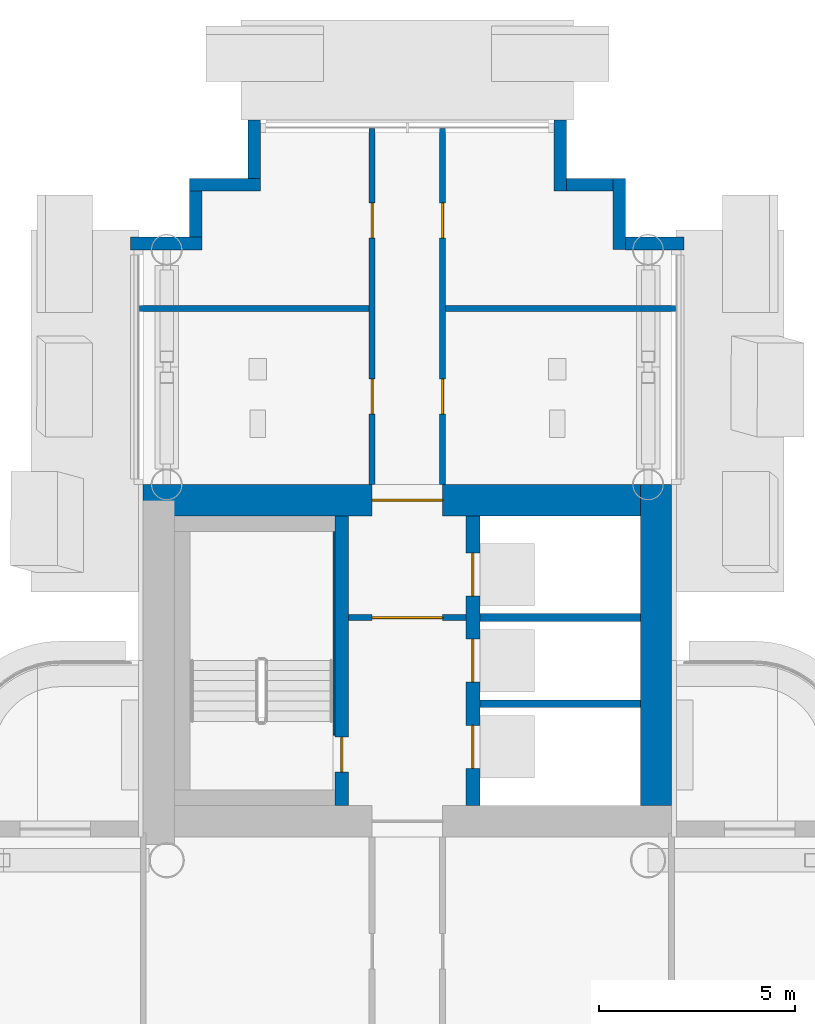
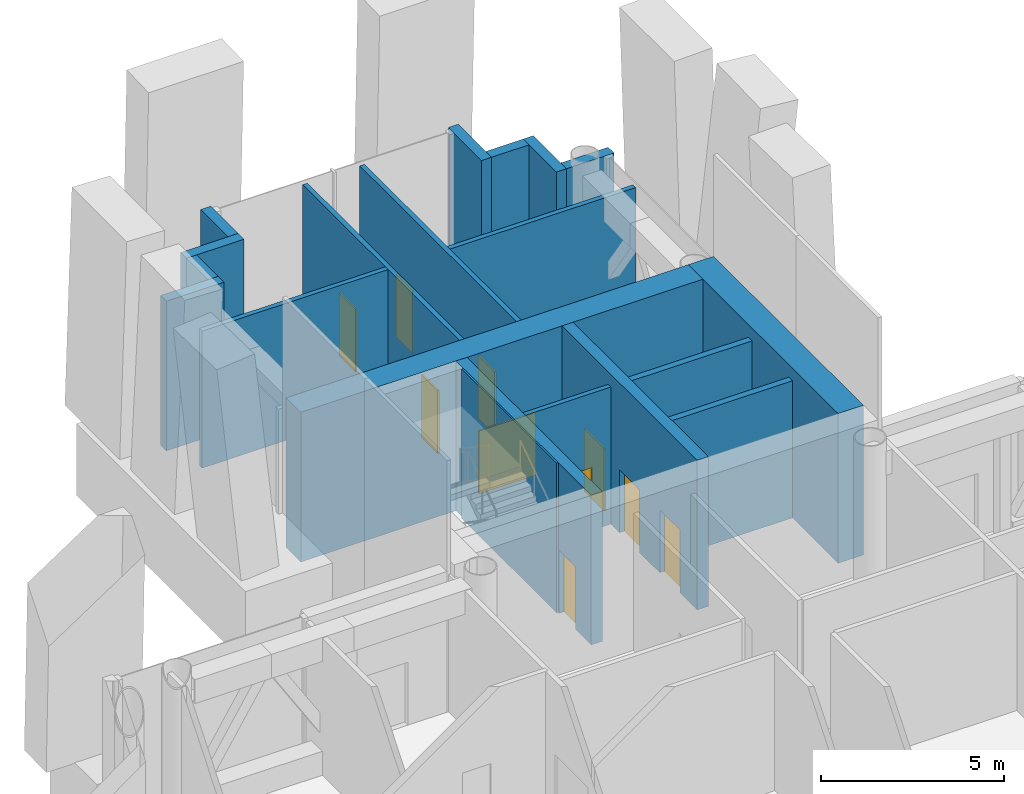
# One storey, part 17 of 34: 20 walls, 10 doors, 10 openings.
"""IFC4 building model written with IfcOpenShell, lengths in metres."""

from ifc_helpers import new_model, si_unit, direction, frame, frame_2d, origin, place, context, subcontext, project, spatial, rectangle, extrude, material, layer, layer_set, type_object, element, fill, save


model = new_model("IFC4")

# Units and contexts
model_context = context("Model", 3, precision=1e-05, world=origin(), true_north=direction((0.0, 1.0)))
body_context = subcontext(model_context, "Body", "Model", "MODEL_VIEW")
ifc_project = project(units=[si_unit("LENGTHUNIT", "METRE"), si_unit("AREAUNIT", "SQUARE_METRE"), si_unit("VOLUMEUNIT", "CUBIC_METRE"), si_unit("PLANEANGLEUNIT", "RADIAN"), si_unit("MASSUNIT", "GRAM", prefix="KILO")], contexts=[model_context])

# Site, building, storey
site_placement = place(None, origin())
site = spatial("IfcSite", under=ifc_project, at=site_placement, CompositionType="ELEMENT")
building_placement = place(site_placement, origin())
building = spatial("IfcBuilding", under=site, at=building_placement, Name="Ipe Terrace Towers", CompositionType="ELEMENT")
storey_placement = place(building_placement, frame((0.0, 0.0, 128.699951171875)))
storey = spatial("IfcBuildingStorey", under=building, at=storey_placement, Name="L35", CompositionType="ELEMENT", Elevation=128.699951171875)

# Walls
ifc_material_1 = material(Name="Concrete C40/50 with buff precast cladding", Category="concrete")
ifc_layer_1 = layer(ifc_material_1, 0.320068359375)
ifc_layer_set_1 = layer_set([ifc_layer_1], Name="BUFF CLADDING WALL 320")
wall_type_1 = type_object("IfcWallType", Name="BUFF CLADDING WALL 320", PredefinedType="STANDARD", material=ifc_layer_set_1)
wall_1_placement = place(storey_placement, frame((43.070068359375, 21.909912109375, -0.300048828125), z_axis=(0.0, 0.0, 1.0), x_axis=(-1.0, 0.0, 0.0)))
element("IfcWall", 1, at=wall_1_placement, inside=storey, type_object=wall_type_1, Name="T2-W-L35-17a wall", PredefinedType="STANDARD", context=body_context, shape_type="SweptSolid", body=[
    extrude(rectangle(XDim=1.5, YDim=0.320068359375, at=frame_2d((0.75, 0.0))), origin(), (0.0, 0.0, 1.0), 5.0),
])
wall_2_placement = place(storey_placement, frame((41.409912109375, 21.75, -0.300048828125), z_axis=(0.0, 0.0, 1.0), x_axis=(0.0, 1.0, 0.0)))
element("IfcWall", 2, at=wall_2_placement, inside=storey, type_object=wall_type_1, Name="T2-W-L35-18a wall", PredefinedType="STANDARD", context=body_context, shape_type="SweptSolid", body=[
    extrude(rectangle(XDim=1.820068359375, YDim=0.320068359375, at=frame_2d((0.91015625, 0.0))), origin(), (0.0, 0.0, 1.0), 5.0),
])
wall_3_placement = place(storey_placement, frame((41.25, 23.409912109375, -0.300048828125), z_axis=(0.0, 0.0, 1.0), x_axis=(-1.0, 0.0, 0.0)))
element("IfcWall", 3, at=wall_3_placement, inside=storey, type_object=wall_type_1, Name="T2-W-L35-19a wall", PredefinedType="STANDARD", context=body_context, shape_type="SweptSolid", body=[
    extrude(rectangle(XDim=1.179931640625, YDim=0.320068359375, at=frame_2d((0.58984375, 0.0))), origin(), (0.0, 0.0, 1.0), 5.0),
])
wall_4_placement = place(storey_placement, frame((39.909912109375, 23.25, -0.300048828125), z_axis=(0.0, 0.0, 1.0), x_axis=(0.0, 1.0, 0.0)))
element("IfcWall", 4, at=wall_4_placement, inside=storey, type_object=wall_type_1, Name="T2-W-L35-20a wall", PredefinedType="STANDARD", context=body_context, shape_type="SweptSolid", body=[
    extrude(rectangle(XDim=1.820068359375, YDim=0.320068359375, at=frame_2d((0.91015625, 0.0))), origin(), (0.0, 0.0, 1.0), 5.0),
])
wall_5_placement = place(storey_placement, frame((32.090087890625, 25.070068359375, -0.300048828125), z_axis=(0.0, 0.0, 1.0), x_axis=(0.0, -1.0, 0.0)))
element("IfcWall", 5, at=wall_5_placement, inside=storey, type_object=wall_type_1, Name="T2-W-L35-22a wall", PredefinedType="STANDARD", context=body_context, shape_type="SweptSolid", body=[
    extrude(rectangle(XDim=1.5, YDim=0.320068359375, at=frame_2d((0.75, 0.0))), origin(), (0.0, 0.0, 1.0), 5.0),
])
wall_6_placement = place(storey_placement, frame((32.25, 23.409912109375, -0.300048828125), z_axis=(0.0, 0.0, 1.0), x_axis=(-1.0, 0.0, 0.0)))
element("IfcWall", 6, at=wall_6_placement, inside=storey, type_object=wall_type_1, Name="T2-W-L35-23a wall", PredefinedType="STANDARD", context=body_context, shape_type="SweptSolid", body=[
    extrude(rectangle(XDim=1.820068359375, YDim=0.320068359375, at=frame_2d((0.91015625, 0.0))), origin(), (0.0, 0.0, 1.0), 5.0),
])
wall_7_placement = place(storey_placement, frame((30.590087890625, 23.25, -0.300048828125), z_axis=(0.0, 0.0, 1.0), x_axis=(0.0, -1.0, 0.0)))
element("IfcWall", 7, at=wall_7_placement, inside=storey, type_object=wall_type_1, Name="T2-W-L35-24a wall", PredefinedType="STANDARD", context=body_context, shape_type="SweptSolid", body=[
    extrude(rectangle(XDim=1.179931640625, YDim=0.320068359375, at=frame_2d((0.58984375, 0.0))), origin(), (0.0, 0.0, 1.0), 5.0),
])
wall_8_placement = place(storey_placement, frame((30.75, 21.909912109375, -0.300048828125), z_axis=(0.0, 0.0, 1.0), x_axis=(-1.0, 0.0, 0.0)))
element("IfcWall", 8, at=wall_8_placement, inside=storey, type_object=wall_type_1, Name="T2-W-L35-25a wall", PredefinedType="STANDARD", context=body_context, shape_type="SweptSolid", body=[
    extrude(rectangle(XDim=1.820068359375, YDim=0.320068359375, at=frame_2d((0.91015625, 0.0))), origin(), (0.0, 0.0, 1.0), 5.0),
])

# Wall, opening, door
ifc_material_2 = material(Name="Gypsum board partition", Category="plasterboard")
ifc_layer_2 = layer(ifc_material_2, 0.14990234375)
ifc_layer_set_2 = layer_set([ifc_layer_2], Name="Gypsum board partition 150 mm")
wall_type_2 = type_object("IfcWallType", Name="Gypsum board partition 150 mm", PredefinedType="PARTITIONING", material=ifc_layer_set_2)
wall_9_placement = place(storey_placement, frame((37.5, 12.35009765625, 0.0), z_axis=(0.0, 0.0, 1.0), x_axis=(-1.0, 0.0, 0.0)))
wall_9 = element("IfcWall", 9, at=wall_9_placement, inside=storey, type_object=wall_type_2, Name="Gypsum board partition T2 L35 t2c1-lobby-wall", PredefinedType="PARTITIONING", context=body_context, shape_type="SweptSolid", body=[
    extrude(rectangle(XDim=3.0, YDim=0.14990234375, at=frame_2d((1.5, 0.0))), origin(), (0.0, 0.0, 1.0), 4.580078125),
])
opening_1_placement = place(wall_9_placement, frame((0.60009765625, 0.0, 0.0)))
opening_1 = element("IfcOpeningElement", 10, at=opening_1_placement, cuts=wall_9, Name="Opening T2C1-VD", PredefinedType="OPENING", context=body_context, shape_type="SweptSolid", body=[
    extrude(rectangle(XDim=1.800048828125, YDim=2.10009765625, at=frame_2d((0.89990234375, 1.050048828125))), frame((0.0, 0.0849609375, 0.0), z_axis=(0.0, -1.0, 0.0), x_axis=(1.0, 0.0, 0.0)), (0.0, 0.0, 1.0), 0.169921875),
])
ifc_material_3 = material(Name="Fire-rated timber door leaf", Category="wood")
door_type_1 = type_object("IfcDoorType", Name="Lobby door 1800 x 2100 FD60", OperationType="NOTDEFINED", PredefinedType="DOOR", material=ifc_material_3)
door_1_placement = place(opening_1_placement, origin())
door_1 = element("IfcDoor", 11, at=door_1_placement, inside=storey, type_object=door_type_1, Name="Lobby door T2C1-VD", OperationType="SINGLE_SWING_LEFT", OverallHeight=2.10009765625, OverallWidth=1.800048828125, PredefinedType="DOOR", context=body_context, shape_type="SweptSolid", body=[
    extrude(rectangle(XDim=1.800048828125, YDim=2.10009765625, at=frame_2d((0.89990234375, 1.050048828125))), frame((0.0, 0.02490234375, 0.0), z_axis=(0.0, -1.0, 0.0), x_axis=(1.0, 0.0, 0.0)), (0.0, 0.0, 1.0), 0.050048828125),
])
fill(opening_1, door_1)

# Wall, openings, doors
wall_10_placement = place(storey_placement, frame((35.10009765625, 15.75, 0.0), z_axis=(0.0, 0.0, 1.0), x_axis=(0.0, 1.0, 0.0)))
wall_10 = element("IfcWall", 12, at=wall_10_placement, inside=storey, type_object=wall_type_2, Name="Gypsum board partition T2 L35 sp-Lp-wp", PredefinedType="PARTITIONING", context=body_context, shape_type="SweptSolid", body=[
    extrude(rectangle(XDim=9.10009765625, YDim=0.14990234375, at=frame_2d((4.550048828125, 0.0))), origin(), (0.0, 0.0, 1.0), 4.580078125),
])
opening_2_placement = place(wall_10_placement, frame((1.800048828125, 0.0, 0.0)))
opening_2 = element("IfcOpeningElement", 13, at=opening_2_placement, cuts=wall_10, Name="Opening T2-SP-PLp1", PredefinedType="OPENING", context=body_context, shape_type="SweptSolid", body=[
    extrude(rectangle(XDim=0.89990234375, YDim=2.10009765625, at=frame_2d((0.449951171875, 1.050048828125))), frame((0.0, 0.0849609375, 0.0), z_axis=(0.0, -1.0, 0.0), x_axis=(1.0, 0.0, 0.0)), (0.0, 0.0, 1.0), 0.169921875),
])
opening_3_placement = place(wall_10_placement, frame((6.300048828125, 0.0, 0.0)))
opening_3 = element("IfcOpeningElement", 14, at=opening_3_placement, cuts=wall_10, Name="Opening T2-SP-PLp2", PredefinedType="OPENING", context=body_context, shape_type="SweptSolid", body=[
    extrude(rectangle(XDim=0.89990234375, YDim=2.10009765625, at=frame_2d((0.449951171875, 1.050048828125))), frame((0.0, 0.0849609375, 0.0), z_axis=(0.0, -1.0, 0.0), x_axis=(1.0, 0.0, 0.0)), (0.0, 0.0, 1.0), 0.169921875),
])
ifc_material_4 = material(Name="Timber door leaf", Category="wood")
door_type_2 = type_object("IfcDoorType", Name="Lounge door 900 x 2100", OperationType="NOTDEFINED", PredefinedType="DOOR", material=ifc_material_4)
door_2_placement = place(opening_2_placement, origin())
door_2 = element("IfcDoor", 15, at=door_2_placement, inside=storey, type_object=door_type_2, Name="Lounge door T2-SP-PLp1", OperationType="SINGLE_SWING_RIGHT", OverallHeight=2.10009765625, OverallWidth=0.89990234375, PredefinedType="DOOR", context=body_context, shape_type="SweptSolid", body=[
    extrude(rectangle(XDim=0.89990234375, YDim=2.10009765625, at=frame_2d((0.449951171875, 1.050048828125))), frame((0.0, 0.02490234375, 0.0), z_axis=(0.0, -1.0, 0.0), x_axis=(1.0, 0.0, 0.0)), (0.0, 0.0, 1.0), 0.050048828125),
])
fill(opening_2, door_2)
ifc_material_5 = material(Name="Fire-rated timber door leaf", Category="wood")
door_type_3 = type_object("IfcDoorType", Name="Lounge door 900 x 2100 FD30S", OperationType="NOTDEFINED", PredefinedType="DOOR", material=ifc_material_5)
door_3_placement = place(opening_3_placement, origin())
door_3 = element("IfcDoor", 16, at=door_3_placement, inside=storey, type_object=door_type_3, Name="Lounge door T2-SP-PLp2", OperationType="SINGLE_SWING_LEFT", OverallHeight=2.10009765625, OverallWidth=0.89990234375, PredefinedType="DOOR", context=body_context, shape_type="SweptSolid", body=[
    extrude(rectangle(XDim=0.89990234375, YDim=2.10009765625, at=frame_2d((0.449951171875, 1.050048828125))), frame((0.0, 0.02490234375, 0.0), z_axis=(0.0, -1.0, 0.0), x_axis=(1.0, 0.0, 0.0)), (0.0, 0.0, 1.0), 0.050048828125),
])
fill(opening_3, door_3)

# Wall
wall_11_placement = place(storey_placement, frame((35.02490234375, 20.25, 0.0), z_axis=(0.0, 0.0, 1.0), x_axis=(-1.0, 0.0, 0.0)))
element("IfcWall", 17, at=wall_11_placement, inside=storey, type_object=wall_type_2, Name="Gypsum board partition T2 L35 sp-Lp-dp1", PredefinedType="PARTITIONING", context=body_context, shape_type="SweptSolid", body=[
    extrude(rectangle(XDim=5.875, YDim=0.14990234375, at=frame_2d((2.9375, 0.0))), origin(), (0.0, 0.0, 1.0), 4.580078125),
])

# Wall, openings, doors
wall_12_placement = place(storey_placement, frame((36.89990234375, 15.75, 0.0), z_axis=(0.0, 0.0, 1.0), x_axis=(0.0, 1.0, 0.0)))
wall_12 = element("IfcWall", 18, at=wall_12_placement, inside=storey, type_object=wall_type_2, Name="Gypsum board partition T2 L35 sp-Lp-wm", PredefinedType="PARTITIONING", context=body_context, shape_type="SweptSolid", body=[
    extrude(rectangle(XDim=9.10009765625, YDim=0.14990234375, at=frame_2d((4.550048828125, 0.0))), origin(), (0.0, 0.0, 1.0), 4.580078125),
])
opening_4_placement = place(wall_12_placement, frame((1.800048828125, 0.0, 0.0)))
opening_4 = element("IfcOpeningElement", 19, at=opening_4_placement, cuts=wall_12, Name="Opening T2-SP-MLp1", PredefinedType="OPENING", context=body_context, shape_type="SweptSolid", body=[
    extrude(rectangle(XDim=0.89990234375, YDim=2.10009765625, at=frame_2d((0.449951171875, 1.050048828125))), frame((0.0, 0.0849609375, 0.0), z_axis=(0.0, -1.0, 0.0), x_axis=(1.0, 0.0, 0.0)), (0.0, 0.0, 1.0), 0.169921875),
])
opening_5_placement = place(wall_12_placement, frame((6.300048828125, 0.0, 0.0)))
opening_5 = element("IfcOpeningElement", 20, at=opening_5_placement, cuts=wall_12, Name="Opening T2-SP-MLp2", PredefinedType="OPENING", context=body_context, shape_type="SweptSolid", body=[
    extrude(rectangle(XDim=0.89990234375, YDim=2.10009765625, at=frame_2d((0.449951171875, 1.050048828125))), frame((0.0, 0.0849609375, 0.0), z_axis=(0.0, -1.0, 0.0), x_axis=(1.0, 0.0, 0.0)), (0.0, 0.0, 1.0), 0.169921875),
])
door_4_placement = place(opening_4_placement, origin())
door_4 = element("IfcDoor", 21, at=door_4_placement, inside=storey, type_object=door_type_2, Name="Lounge door T2-SP-MLp1", OperationType="SINGLE_SWING_LEFT", OverallHeight=2.10009765625, OverallWidth=0.89990234375, PredefinedType="DOOR", context=body_context, shape_type="SweptSolid", body=[
    extrude(rectangle(XDim=0.89990234375, YDim=2.10009765625, at=frame_2d((0.449951171875, 1.050048828125))), frame((0.0, 0.02490234375, 0.0), z_axis=(0.0, -1.0, 0.0), x_axis=(1.0, 0.0, 0.0)), (0.0, 0.0, 1.0), 0.050048828125),
])
fill(opening_4, door_4)
door_5_placement = place(opening_5_placement, origin())
door_5 = element("IfcDoor", 22, at=door_5_placement, inside=storey, type_object=door_type_3, Name="Lounge door T2-SP-MLp2", OperationType="SINGLE_SWING_RIGHT", OverallHeight=2.10009765625, OverallWidth=0.89990234375, PredefinedType="DOOR", context=body_context, shape_type="SweptSolid", body=[
    extrude(rectangle(XDim=0.89990234375, YDim=2.10009765625, at=frame_2d((0.449951171875, 1.050048828125))), frame((0.0, 0.02490234375, 0.0), z_axis=(0.0, -1.0, 0.0), x_axis=(1.0, 0.0, 0.0)), (0.0, 0.0, 1.0), 0.050048828125),
])
fill(opening_5, door_5)

# Walls
wall_13_placement = place(storey_placement, frame((36.97509765625, 20.25, 0.0), z_axis=(0.0, 0.0, 1.0), x_axis=(1.0, 0.0, 0.0)))
element("IfcWall", 23, at=wall_13_placement, inside=storey, type_object=wall_type_2, Name="Gypsum board partition T2 L35 sp-Lp-dm1", PredefinedType="PARTITIONING", context=body_context, shape_type="SweptSolid", body=[
    extrude(rectangle(XDim=5.875, YDim=0.14990234375, at=frame_2d((2.9375, 0.0))), origin(), (0.0, 0.0, 1.0), 4.580078125),
])
ifc_material_6 = material(Name="Gypsum board party wall", Category="plasterboard")
ifc_layer_3 = layer(ifc_material_6, 0.199951171875)
ifc_layer_set_3 = layer_set([ifc_layer_3], Name="Gypsum board party wall 200 mm")
wall_type_3 = type_object("IfcWallType", Name="Gypsum board party wall 200 mm", PredefinedType="SOLIDWALL", material=ifc_layer_set_3)
for number, where, z_axis, x_axis, name in (
    (24, (41.949951171875, 10.14990234375, 0.0), (0.0, 0.0, 1.0), (-1.0, 0.0, 0.0), "Gypsum board party wall T2 L35 t2c1-shaft-div1"),
    (25, (41.949951171875, 12.35009765625, 0.0), (0.0, 0.0, 1.0), (-1.0, 0.0, 0.0), "Gypsum board party wall T2 L35 t2c1-shaft-div2"),
):
    element("IfcWall", number, at=place(storey_placement, frame(where, z_axis=z_axis, x_axis=x_axis)), inside=storey, type_object=wall_type_3, Name=name, PredefinedType="SOLIDWALL", context=body_context, shape_type="SweptSolid", body=[
        extrude(rectangle(XDim=4.099853515625, YDim=0.199951171875, at=frame_2d((2.0498046875, 0.0))), origin(), (0.0, 0.0, 1.0), 4.580078125),
    ])

# Wall, opening, door
ifc_material_7 = material(Name="Concrete C50/60", Category="concrete")
ifc_layer_4 = layer(ifc_material_7, 0.35009765625)
ifc_layer_set_4 = layer_set([ifc_layer_4], Name="RW350 CORE SPINE WALL 350 C50-60")
wall_type_4 = type_object("IfcWallType", Name="RW350 CORE SPINE WALL 350 C50-60", PredefinedType="SHEAR", material=ifc_layer_set_4)
wall_14_placement = place(storey_placement, frame((34.324951171875, 7.550048828125, 0.0), z_axis=(0.0, 0.0, 1.0), x_axis=(0.0, 1.0, 0.0)))
wall_14 = element("IfcWall", 26, at=wall_14_placement, inside=storey, type_object=wall_type_4, Name="Core spine wall T2-C1-Z3-SW1", PredefinedType="SHEAR", context=body_context, shape_type="SweptSolid", body=[
    extrude(rectangle(XDim=7.39990234375, YDim=0.35009765625, at=frame_2d((3.699951171875, 0.0))), origin(), (0.0, 0.0, 1.0), 5.0),
])
opening_6_placement = place(wall_14_placement, frame((0.85009765625, 0.0, 0.0)))
opening_6 = element("IfcOpeningElement", 27, at=opening_6_placement, cuts=wall_14, Name="Opening T2C1-SD", PredefinedType="OPENING", context=body_context, shape_type="SweptSolid", body=[
    extrude(rectangle(XDim=0.89990234375, YDim=2.10009765625, at=frame_2d((0.449951171875, 1.050048828125))), frame((0.0, 0.18505859375, 0.0), z_axis=(0.0, -1.0, 0.0), x_axis=(1.0, 0.0, 0.0)), (0.0, 0.0, 1.0), 0.3701171875),
])
ifc_material_8 = material(Name="Fire-rated timber door leaf", Category="wood")
door_type_4 = type_object("IfcDoorType", Name="Stair door 900 x 2100 FD60", OperationType="NOTDEFINED", PredefinedType="DOOR", material=ifc_material_8)
door_6_placement = place(opening_6_placement, origin())
door_6 = element("IfcDoor", 28, at=door_6_placement, inside=storey, type_object=door_type_4, Name="Stair door T2C1-SD", OperationType="SINGLE_SWING_LEFT", OverallHeight=2.10009765625, OverallWidth=0.89990234375, PredefinedType="DOOR", context=body_context, shape_type="SweptSolid", body=[
    extrude(rectangle(XDim=0.89990234375, YDim=2.10009765625, at=frame_2d((0.449951171875, 1.050048828125))), frame((0.0, 0.02490234375, 0.0), z_axis=(0.0, -1.0, 0.0), x_axis=(1.0, 0.0, 0.0)), (0.0, 0.0, 1.0), 0.050048828125),
])
fill(opening_6, door_6)

# Wall, openings, doors
wall_15_placement = place(storey_placement, frame((37.675048828125, 7.550048828125, 0.0), z_axis=(0.0, 0.0, 1.0), x_axis=(0.0, 1.0, 0.0)))
wall_15 = element("IfcWall", 29, at=wall_15_placement, inside=storey, type_object=wall_type_4, Name="Core spine wall T2-C1-Z3-SW2", PredefinedType="SHEAR", context=body_context, shape_type="SweptSolid", body=[
    extrude(rectangle(XDim=7.39990234375, YDim=0.35009765625, at=frame_2d((3.699951171875, 0.0))), origin(), (0.0, 0.0, 1.0), 5.0),
])
opening_7_placement = place(wall_15_placement, frame((0.949951171875, 0.0, 0.0)))
opening_7 = element("IfcOpeningElement", 30, at=opening_7_placement, cuts=wall_15, Name="Opening T2C1-LD1", PredefinedType="OPENING", context=body_context, shape_type="SweptSolid", body=[
    extrude(rectangle(XDim=1.10009765625, YDim=2.10009765625, at=frame_2d((0.550048828125, 1.050048828125))), frame((0.0, 0.18505859375, 0.0), z_axis=(0.0, -1.0, 0.0), x_axis=(1.0, 0.0, 0.0)), (0.0, 0.0, 1.0), 0.3701171875),
])
opening_8_placement = place(wall_15_placement, frame((3.14990234375, 0.0, 0.0)))
opening_8 = element("IfcOpeningElement", 31, at=opening_8_placement, cuts=wall_15, Name="Opening T2C1-LD2", PredefinedType="OPENING", context=body_context, shape_type="SweptSolid", body=[
    extrude(rectangle(XDim=1.10009765625, YDim=2.10009765625, at=frame_2d((0.550048828125, 1.050048828125))), frame((0.0, 0.18505859375, 0.0), z_axis=(0.0, -1.0, 0.0), x_axis=(1.0, 0.0, 0.0)), (0.0, 0.0, 1.0), 0.3701171875),
])
opening_9_placement = place(wall_15_placement, frame((5.35009765625, 0.0, 0.0)))
opening_9 = element("IfcOpeningElement", 32, at=opening_9_placement, cuts=wall_15, Name="Opening T2C1-LD3", PredefinedType="OPENING", context=body_context, shape_type="SweptSolid", body=[
    extrude(rectangle(XDim=1.10009765625, YDim=2.10009765625, at=frame_2d((0.550048828125, 1.050048828125))), frame((0.0, 0.18505859375, 0.0), z_axis=(0.0, -1.0, 0.0), x_axis=(1.0, 0.0, 0.0)), (0.0, 0.0, 1.0), 0.3701171875),
])
ifc_material_9 = material(Name="Fire-rated timber door leaf", Category="wood")
door_type_5 = type_object("IfcDoorType", Name="Sliding door 1100 x 2100 FD60", OperationType="SLIDING_TO_LEFT", PredefinedType="DOOR", material=ifc_material_9)
door_7_placement = place(opening_7_placement, origin())
door_7 = element("IfcDoor", 33, at=door_7_placement, inside=storey, type_object=door_type_5, Name="Sliding door T2C1-LD1", OperationType="SLIDING_TO_LEFT", OverallHeight=2.10009765625, OverallWidth=1.10009765625, PredefinedType="DOOR", context=body_context, shape_type="SweptSolid", body=[
    extrude(rectangle(XDim=1.10009765625, YDim=2.10009765625, at=frame_2d((0.550048828125, 1.050048828125))), frame((0.0, 0.02490234375, 0.0), z_axis=(0.0, -1.0, 0.0), x_axis=(1.0, 0.0, 0.0)), (0.0, 0.0, 1.0), 0.050048828125),
])
fill(opening_7, door_7)
door_8_placement = place(opening_8_placement, origin())
door_8 = element("IfcDoor", 34, at=door_8_placement, inside=storey, type_object=door_type_5, Name="Sliding door T2C1-LD2", OperationType="SLIDING_TO_LEFT", OverallHeight=2.10009765625, OverallWidth=1.10009765625, PredefinedType="DOOR", context=body_context, shape_type="SweptSolid", body=[
    extrude(rectangle(XDim=1.10009765625, YDim=2.10009765625, at=frame_2d((0.550048828125, 1.050048828125))), frame((0.0, 0.02490234375, 0.0), z_axis=(0.0, -1.0, 0.0), x_axis=(1.0, 0.0, 0.0)), (0.0, 0.0, 1.0), 0.050048828125),
])
fill(opening_8, door_8)
door_9_placement = place(opening_9_placement, origin())
door_9 = element("IfcDoor", 35, at=door_9_placement, inside=storey, type_object=door_type_5, Name="Sliding door T2C1-LD3", OperationType="SLIDING_TO_LEFT", OverallHeight=2.10009765625, OverallWidth=1.10009765625, PredefinedType="DOOR", context=body_context, shape_type="SweptSolid", body=[
    extrude(rectangle(XDim=1.10009765625, YDim=2.10009765625, at=frame_2d((0.550048828125, 1.050048828125))), frame((0.0, 0.02490234375, 0.0), z_axis=(0.0, -1.0, 0.0), x_axis=(1.0, 0.0, 0.0)), (0.0, 0.0, 1.0), 0.050048828125),
])
fill(opening_9, door_9)

# Walls
ifc_material_10 = material(Name="Concrete C50/60", Category="concrete")
ifc_layer_5 = layer(ifc_material_10, 0.050048828125)
ifc_layer_set_5 = layer_set([ifc_layer_5], Name="RW50 CORE INFILL WALL 50 C50-60")
wall_type_5 = type_object("IfcWallType", Name="RW50 CORE INFILL WALL 50 C50-60", PredefinedType="SHEAR", material=ifc_layer_set_5)
wall_16_placement = place(storey_placement, frame((34.125, 9.35009765625, 0.0), z_axis=(0.0, 0.0, 1.0), x_axis=(0.0, 1.0, 0.0)))
element("IfcWall", 36, at=wall_16_placement, inside=storey, type_object=wall_type_5, Name="Core infill wall T2-C1-spine-b", PredefinedType="SHEAR", context=body_context, shape_type="SweptSolid", body=[
    extrude(rectangle(XDim=5.199951171875, YDim=0.050048828125, at=frame_2d((2.60009765625, 0.0))), origin(), (0.0, 0.0, 1.0), 5.0),
])
ifc_material_11 = material(Name="Concrete C50/60", Category="concrete")
ifc_layer_6 = layer(ifc_material_11, 0.800048828125)
ifc_layer_set_6 = layer_set([ifc_layer_6], Name="RW800 CORE WALL 800 C50-60")
wall_type_6 = type_object("IfcWallType", Name="RW800 CORE WALL 800 C50-60", PredefinedType="SHEAR", material=ifc_layer_set_6)
wall_17_placement = place(storey_placement, frame((42.35009765625, 7.550048828125, 0.0), z_axis=(0.0, 0.0, 1.0), x_axis=(0.0, 1.0, 0.0)))
element("IfcWall", 37, at=wall_17_placement, inside=storey, type_object=wall_type_6, Name="Core wall T2-C1-Z3-W02", PredefinedType="SHEAR", context=body_context, shape_type="SweptSolid", body=[
    extrude(rectangle(XDim=8.199951171875, YDim=0.800048828125, at=frame_2d((4.10009765625, 0.0))), origin(), (0.0, 0.0, 1.0), 5.0),
])

# Wall, opening, door
wall_18_placement = place(storey_placement, frame((41.949951171875, 15.35009765625, 0.0), z_axis=(0.0, 0.0, 1.0), x_axis=(-1.0, 0.0, 0.0)))
wall_18 = element("IfcWall", 38, at=wall_18_placement, inside=storey, type_object=wall_type_6, Name="Core wall T2-C1-Z3-W03", PredefinedType="SHEAR", context=body_context, shape_type="SweptSolid", body=[
    extrude(rectangle(XDim=12.699951171875, YDim=0.800048828125, at=frame_2d((6.35009765625, 0.0))), origin(), (0.0, 0.0, 1.0), 5.0),
])
opening_10_placement = place(wall_18_placement, frame((5.050048828125, 0.0, 0.0)))
opening_10 = element("IfcOpeningElement", 39, at=opening_10_placement, cuts=wall_18, Name="Opening T2C1-FD", PredefinedType="OPENING", context=body_context, shape_type="SweptSolid", body=[
    extrude(rectangle(XDim=1.800048828125, YDim=2.10009765625, at=frame_2d((0.89990234375, 1.050048828125))), frame((0.0, 0.41015625, 0.0), z_axis=(0.0, -1.0, 0.0), x_axis=(1.0, 0.0, 0.0)), (0.0, 0.0, 1.0), 0.820068359375),
])
ifc_material_12 = material(Name="Fire-rated timber door leaf", Category="wood")
door_type_6 = type_object("IfcDoorType", Name="Fire door 1800 x 2100 FD30S", OperationType="NOTDEFINED", PredefinedType="DOOR", material=ifc_material_12)
door_10_placement = place(opening_10_placement, origin())
door_10 = element("IfcDoor", 40, at=door_10_placement, inside=storey, type_object=door_type_6, Name="Fire door T2C1-FD", OperationType="SINGLE_SWING_LEFT", OverallHeight=2.10009765625, OverallWidth=1.800048828125, PredefinedType="DOOR", context=body_context, shape_type="SweptSolid", body=[
    extrude(rectangle(XDim=1.800048828125, YDim=2.10009765625, at=frame_2d((0.89990234375, 1.050048828125))), frame((0.0, 0.02490234375, 0.0), z_axis=(0.0, -1.0, 0.0), x_axis=(1.0, 0.0, 0.0)), (0.0, 0.0, 1.0), 0.050048828125),
])
fill(opening_10, door_10)

save(model, "model.ifc")
